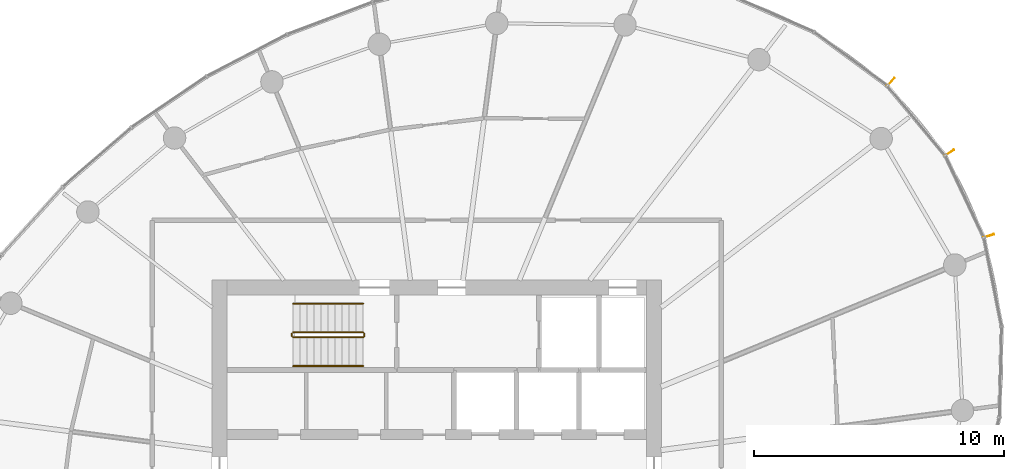
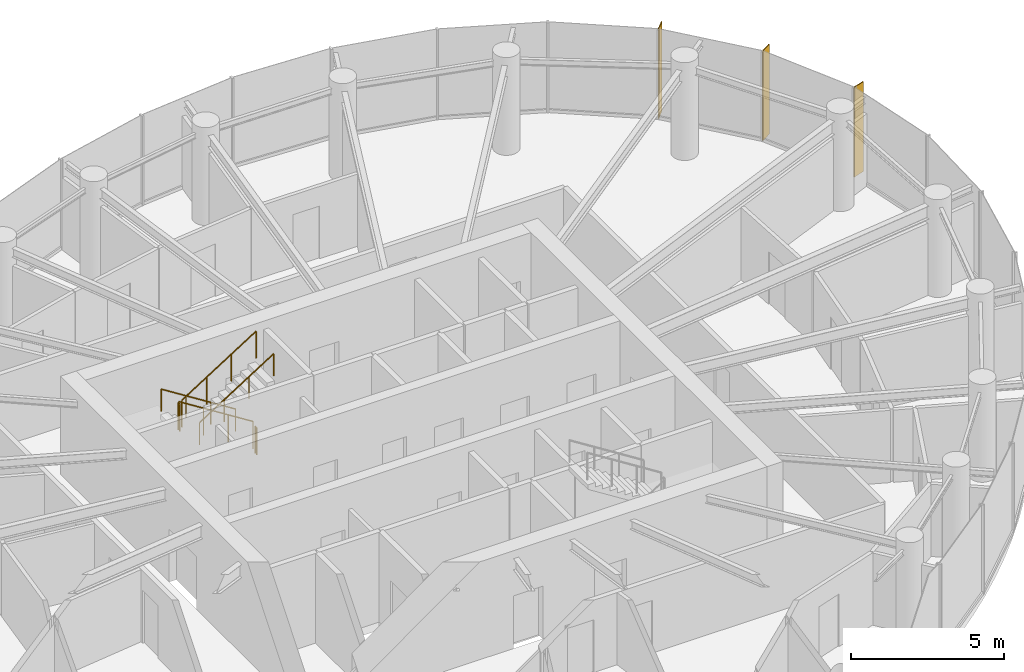
# One storey, part 15 of 15: 6 railings, 3 shading devices.
"""IFC4 building model written with IfcOpenShell, lengths in metres."""

from ifc_helpers import new_model, si_unit, direction, frame, origin, origin_2d, place, context, subcontext, project, spatial, rectangle, circle, extrude, source, transform, mapped, material, material_profile, profile_set, type_object, element, save


model = new_model("IFC4")

# Units and contexts
model_context = context("Model", 3, precision=1e-05, world=origin(), true_north=direction((0.0, 1.0)))
body_context = subcontext(model_context, "Body", "Model", "MODEL_VIEW")
ifc_project = project(units=[si_unit("LENGTHUNIT", "METRE"), si_unit("AREAUNIT", "SQUARE_METRE"), si_unit("VOLUMEUNIT", "CUBIC_METRE"), si_unit("PLANEANGLEUNIT", "RADIAN"), si_unit("MASSUNIT", "GRAM", prefix="KILO")], contexts=[model_context])

# Site, building, storey
site_placement = place(None, origin())
site = spatial("IfcSite", under=ifc_project, at=site_placement, CompositionType="ELEMENT")
building_placement = place(site_placement, origin())
building = spatial("IfcBuilding", under=site, at=building_placement, Name="Spindrift Exchange Tower", CompositionType="ELEMENT")
storey_placement = place(building_placement, frame((0.0, 0.0, 195.5)))
storey = spatial("IfcBuildingStorey", under=building, at=storey_placement, Name="L47", CompositionType="ELEMENT", Elevation=195.5)

# Railings
ifc_material_1 = material(Name="Steel balustrade", Category="steel")
railing_type_1 = type_object("IfcRailingType", Name="RL-STAIR-GUARD", PredefinedType="GUARDRAIL", material=ifc_material_1)
railing_1_placement = place(storey_placement, frame((49.050048828125, 53.89990234375, 0.17724609375)))
element("IfcRailing", 1, at=railing_1_placement, inside=storey, type_object=railing_type_1, Name="L47 ST1 stair guard 1", PredefinedType="GUARDRAIL", context=body_context, shape_type="SweptSolid", body=[
    extrude(circle(Radius=0.02392578125, at=origin_2d()), frame((0.0, 0.0, 1.076171875), z_axis=(-0.844908973607, 0.0, 0.534910110503), x_axis=(0.0, -1.0, 0.0)), (0.0, 0.0, 1.0), 3.31396484375),
    extrude(circle(Radius=0.02099609375, at=origin_2d()), origin(), (0.0, 0.0, 1.0), 1.052001953125),
    extrude(circle(Radius=0.02099609375, at=origin_2d()), frame((-0.933349609375, 0.0, 0.5908203125)), (0.0, 0.0, 1.0), 1.052001953125),
    extrude(circle(Radius=0.02099609375, at=origin_2d()), frame((-1.86669921875, 0.0, 1.181884765625)), (0.0, 0.0, 1.0), 1.052001953125),
    extrude(circle(Radius=0.02099609375, at=origin_2d()), frame((-2.800048828125, 0.0, 1.772705078125)), (0.0, 0.0, 1.0), 1.052001953125),
])
railing_2_placement = place(storey_placement, frame((46.199951171875, 53.85009765625, 1.949951171875)))
element("IfcRailing", 2, at=railing_2_placement, inside=storey, type_object=railing_type_1, Name="L47 ST1 stair guard 2", PredefinedType="GUARDRAIL", context=body_context, shape_type="SweptSolid", body=[
    extrude(circle(Radius=0.02392578125, at=origin_2d()), frame((0.0, 0.0, 1.076171875), z_axis=(0.0, -1.0, 0.0), x_axis=(1.0, 0.0, 0.0)), (0.0, 0.0, 1.0), 0.10009765625),
    extrude(circle(Radius=0.02099609375, at=origin_2d()), origin(), (0.0, 0.0, 1.0), 1.052001953125),
    extrude(circle(Radius=0.02099609375, at=origin_2d()), frame((0.0, -0.10009765625, 0.0)), (0.0, 0.0, 1.0), 1.052001953125),
])
railing_3_placement = place(storey_placement, frame((46.25, 53.699951171875, 2.127197265625)))
element("IfcRailing", 3, at=railing_3_placement, inside=storey, type_object=railing_type_1, Name="L47 ST1 stair guard 3", PredefinedType="GUARDRAIL", context=body_context, shape_type="SweptSolid", body=[
    extrude(circle(Radius=0.02392578125, at=origin_2d()), frame((0.0, 0.0, 1.076171875), z_axis=(0.844908973607, 0.0, 0.534910110503), x_axis=(0.0, 1.0, 0.0)), (0.0, 0.0, 1.0), 3.31396484375),
    extrude(circle(Radius=0.02099609375, at=origin_2d()), origin(), (0.0, 0.0, 1.0), 1.052001953125),
    extrude(circle(Radius=0.02099609375, at=origin_2d()), frame((0.933349609375, 0.0, 0.5908203125)), (0.0, 0.0, 1.0), 1.052001953125),
    extrude(circle(Radius=0.02099609375, at=origin_2d()), frame((1.86669921875, 0.0, 1.181884765625)), (0.0, 0.0, 1.0), 1.052001953125),
    extrude(circle(Radius=0.02099609375, at=origin_2d()), frame((2.800048828125, 0.0, 1.772705078125)), (0.0, 0.0, 1.0), 1.052001953125),
])
railing_4_placement = place(storey_placement, frame((49.10009765625, 53.85009765625, 0.0)))
element("IfcRailing", 4, at=railing_4_placement, inside=storey, type_object=railing_type_1, Name="L47 ST1 stair guard 4", PredefinedType="GUARDRAIL", context=body_context, shape_type="SweptSolid", body=[
    extrude(circle(Radius=0.02392578125, at=origin_2d()), frame((0.0, 0.0, 1.076171875), z_axis=(0.0, -1.0, 0.0), x_axis=(1.0, 0.0, 0.0)), (0.0, 0.0, 1.0), 0.10009765625),
    extrude(circle(Radius=0.02099609375, at=origin_2d()), origin(), (0.0, 0.0, 1.0), 1.052001953125),
    extrude(circle(Radius=0.02099609375, at=origin_2d()), frame((0.0, -0.10009765625, 0.0)), (0.0, 0.0, 1.0), 1.052001953125),
])
ifc_material_2 = material(Name="Steel tubular handrail", Category="steel")
railing_type_2 = type_object("IfcRailingType", Name="RL-STAIR-HAND", PredefinedType="HANDRAIL", material=ifc_material_2)
railing_5_placement = place(storey_placement, frame((49.050048828125, 55.050048828125, 0.17724609375)))
element("IfcRailing", 5, at=railing_5_placement, inside=storey, type_object=railing_type_2, Name="L47 ST1 stair handrail 1", PredefinedType="HANDRAIL", context=body_context, shape_type="SweptSolid", body=[
    extrude(circle(Radius=0.02392578125, at=origin_2d()), frame((0.0, 0.0, 0.8759765625), z_axis=(-0.844908973607, 0.0, 0.534910110503), x_axis=(0.0, -1.0, 0.0)), (0.0, 0.0, 1.0), 3.31396484375),
    extrude(circle(Radius=0.02099609375, at=origin_2d()), origin(), (0.0, 0.0, 1.0), 0.851806640625),
    extrude(circle(Radius=0.02099609375, at=origin_2d()), frame((-0.933349609375, 0.0, 0.5908203125)), (0.0, 0.0, 1.0), 0.851806640625),
    extrude(circle(Radius=0.02099609375, at=origin_2d()), frame((-1.86669921875, 0.0, 1.181884765625)), (0.0, 0.0, 1.0), 0.851806640625),
    extrude(circle(Radius=0.02099609375, at=origin_2d()), frame((-2.800048828125, 0.0, 1.772705078125)), (0.0, 0.0, 1.0), 0.851806640625),
])
railing_6_placement = place(storey_placement, frame((46.25, 52.550048828125, 2.127197265625)))
element("IfcRailing", 6, at=railing_6_placement, inside=storey, type_object=railing_type_2, Name="L47 ST1 stair handrail 2", PredefinedType="HANDRAIL", context=body_context, shape_type="SweptSolid", body=[
    extrude(circle(Radius=0.02392578125, at=origin_2d()), frame((0.0, 0.0, 0.8759765625), z_axis=(0.844908973607, 0.0, 0.534910110503), x_axis=(0.0, 1.0, 0.0)), (0.0, 0.0, 1.0), 3.31396484375),
    extrude(circle(Radius=0.02099609375, at=origin_2d()), origin(), (0.0, 0.0, 1.0), 0.851806640625),
    extrude(circle(Radius=0.02099609375, at=origin_2d()), frame((0.933349609375, 0.0, 0.5908203125)), (0.0, 0.0, 1.0), 0.851806640625),
    extrude(circle(Radius=0.02099609375, at=origin_2d()), frame((1.86669921875, 0.0, 1.181884765625)), (0.0, 0.0, 1.0), 0.851806640625),
    extrude(circle(Radius=0.02099609375, at=origin_2d()), frame((2.800048828125, 0.0, 1.772705078125)), (0.0, 0.0, 1.0), 0.851806640625),
])

# Shading devices
ifc_material_3 = material(Name="Bronze anodised aluminium", Category="aluminium")
ifc_material_profile = material_profile(ifc_material_3, rectangle(XDim=0.030029296875, YDim=0.449951171875, at=origin_2d()), Name="WIND FIN 30X450")
ifc_profile_set = profile_set([ifc_material_profile], Name="Bronze anodised aluminium")
shading_device_type = type_object("IfcShadingDeviceType", Name="WIND FIN 30X450", PredefinedType="USERDEFINED", material=ifc_profile_set)
shared_shape = source(origin(), body_context, "Body", "SweptSolid", [
    extrude(rectangle(XDim=0.030029296875, YDim=0.449951171875, at=origin_2d()), origin(), (0.0, 0.0, 1.0), 3.580078125),
])
for number, where, z_axis, x_axis, name in (
    (7, (72.537841796875, 61.09130859375, 0.0), (0.0, 0.0, 1.0), (-0.537513030524, 0.843255442922, 0.0), "L47 wind fin 2"),
    (8, (70.181640625, 63.922607421875, 0.0), (0.0, 0.0, 1.0), (-0.728550325407, 0.684992279774, 0.0), "L47 wind fin 3"),
    (9, (74.10986328125, 57.760009765625, 0.0), (0.0, 0.0, 1.0), (-0.313387565374, 0.949625312357, 0.0), "L47 wind fin 4"),
):
    element("IfcShadingDevice", number, at=place(storey_placement, frame(where, z_axis=z_axis, x_axis=x_axis)), inside=storey, type_object=shading_device_type, Name=name, ObjectType="FIN", PredefinedType="USERDEFINED", context=body_context, shape_type="MappedRepresentation", body=[
        mapped(shared_shape, transform((0.0, 0.0, 0.0), scale=1.0)),
    ])

save(model, "model.ifc")
